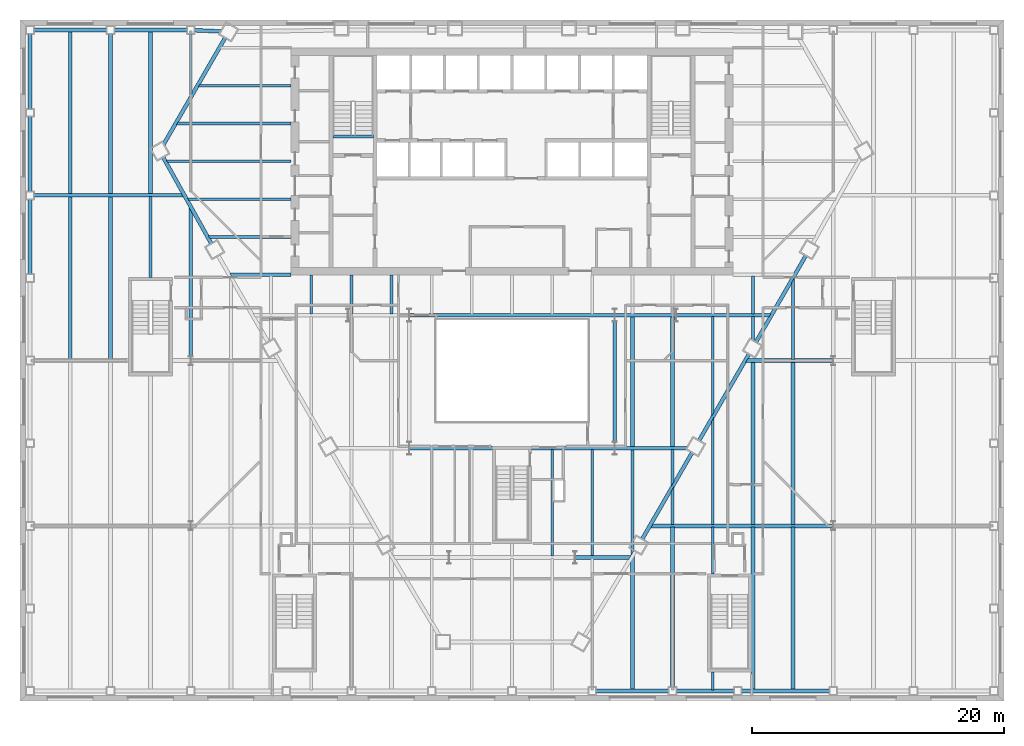
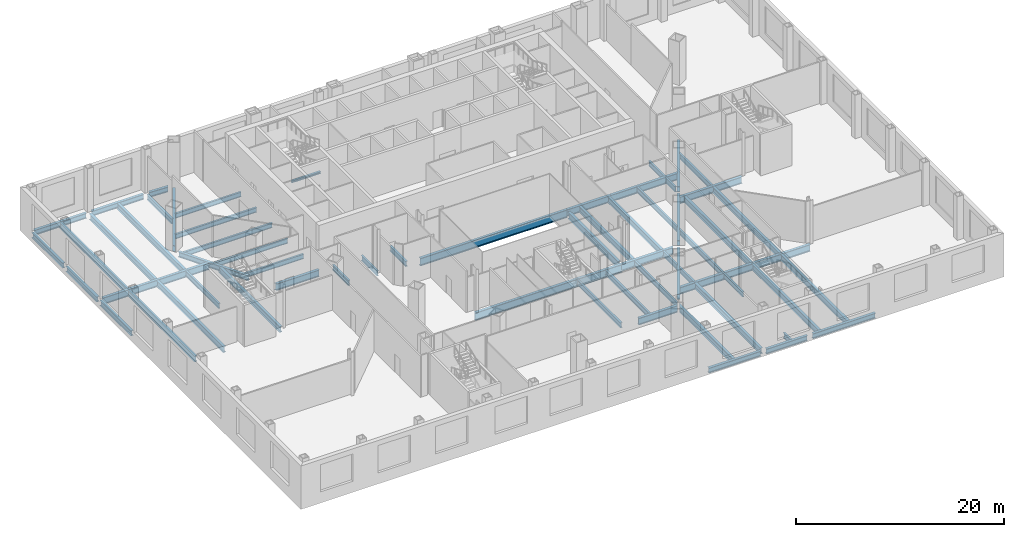
# One storey, part 5 of 20: 62 beams.
"""IFC4 building model written with IfcOpenShell, lengths in metres."""

from ifc_helpers import new_model, si_unit, direction, frame, origin, origin_2d, place, context, subcontext, project, spatial, i_section, extrude, clip, halfspace, material, material_profile, profile_set, type_object, element, save


model = new_model("IFC4")

# Units and contexts
model_context = context("Model", 3, precision=1e-05, world=origin(), true_north=direction((0.0, 1.0)))
body_context = subcontext(model_context, "Body", "Model", "MODEL_VIEW")
ifc_project = project(units=[si_unit("LENGTHUNIT", "METRE"), si_unit("AREAUNIT", "SQUARE_METRE"), si_unit("VOLUMEUNIT", "CUBIC_METRE"), si_unit("PLANEANGLEUNIT", "RADIAN"), si_unit("MASSUNIT", "GRAM", prefix="KILO")], contexts=[model_context])

# Site, building, storey
site_placement = place(None, origin())
site = spatial("IfcSite", under=ifc_project, at=site_placement, CompositionType="ELEMENT")
building_placement = place(site_placement, origin())
building = spatial("IfcBuilding", under=site, at=building_placement, Name="Njiva Tower", CompositionType="ELEMENT")
storey_placement = place(building_placement, frame((0.0, 0.0, 18.6)))
storey = spatial("IfcBuildingStorey", under=building, at=storey_placement, Name="L03", CompositionType="ELEMENT", Elevation=18.6)

# Beams
ifc_material = material(Name="Steel S355 J2", Category="steel")
ifc_material_profile_1 = material_profile(ifc_material, i_section(OverallWidth=0.3, OverallDepth=0.69, WebThickness=0.0145, FlangeThickness=0.027, at=origin_2d()), Name="HEA 700")
ifc_profile_set_1 = profile_set([ifc_material_profile_1], Name="Steel S355 J2")
beam_type_1 = type_object("IfcBeamType", Name="B1 Long-span spandrel beam HEA 700", PredefinedType="SPANDREL", material=ifc_profile_set_1)
beam_1_placement = place(storey_placement, frame((-22.736, 18.791, -0.565), z_axis=(-0.499971337603, -0.866041951395, 0.0), x_axis=(0.866041951395, -0.499971337603, 0.0)))
element("IfcBeam", 1, at=beam_1_placement, inside=storey, type_object=beam_type_1, Name="Long-span spandrel beam L03-B147", PredefinedType="SPANDREL", context=body_context, shape_type="Clipping", body=[
    clip(extrude(i_section(OverallWidth=0.3, OverallDepth=0.69, WebThickness=0.0145, FlangeThickness=0.027, at=origin_2d()), origin(), (0.0, 0.0, 1.0), 9.8456), halfspace(frame((-0.0253, 0.0, 9.7239), z_axis=(-0.500030652022, 0.0, 0.866007706108), x_axis=(0.0, 1.0, 0.0)), False)),
])
ifc_material_profile_2 = material_profile(ifc_material, i_section(OverallWidth=0.21, OverallDepth=0.55, WebThickness=0.0111, FlangeThickness=0.0172, at=origin_2d()), Name="IPE 550")
ifc_profile_set_2 = profile_set([ifc_material_profile_2], Name="Steel S355 J2")
beam_type_2 = type_object("IfcBeamType", Name="B10 Floor beam to the core IPE 550", PredefinedType="BEAM", material=ifc_profile_set_2)
beam_2_placement = place(storey_placement, frame((-24.091, 3.0, -0.495), z_axis=(1.0, 0.0, 0.0), x_axis=(0.0, 1.0, 0.0)))
element("IfcBeam", 2, at=beam_2_placement, inside=storey, type_object=beam_type_2, Name="Floor beam to the core L03-B005", PredefinedType="BEAM", context=body_context, shape_type="Clipping", body=[
    clip(extrude(i_section(OverallWidth=0.21, OverallDepth=0.55, WebThickness=0.0111, FlangeThickness=0.0172, at=origin_2d()), origin(), (0.0, 0.0, 1.0), 6.591), halfspace(frame((-0.0244, 0.0, 0.0929), z_axis=(-0.487051738924, 0.0, -0.87337311821), x_axis=(0.0, -1.0, 0.0)), False)),
])
beam_3_placement = place(storey_placement, frame((-25.764, 6.0, -0.495), z_axis=(1.0, 0.0, 0.0), x_axis=(0.0, 1.0, 0.0)))
element("IfcBeam", 3, at=beam_3_placement, inside=storey, type_object=beam_type_2, Name="Floor beam to the core L03-B003", PredefinedType="BEAM", context=body_context, shape_type="Clipping", body=[
    clip(extrude(i_section(OverallWidth=0.21, OverallDepth=0.55, WebThickness=0.0111, FlangeThickness=0.0172, at=origin_2d()), origin(), (0.0, 0.0, 1.0), 8.264), halfspace(frame((-0.0244, 0.0, 0.093), z_axis=(-0.487051738924, 0.0, -0.87337311821), x_axis=(0.0, -1.0, 0.0)), False)),
])
beam_4_placement = place(storey_placement, frame((-26.622, 12.0, -0.495), z_axis=(1.0, 0.0, 0.0), x_axis=(0.0, 1.0, 0.0)))
element("IfcBeam", 4, at=beam_4_placement, inside=storey, type_object=beam_type_2, Name="Floor beam to the core L03-B002", PredefinedType="BEAM", context=body_context, shape_type="Clipping", body=[
    clip(extrude(i_section(OverallWidth=0.21, OverallDepth=0.55, WebThickness=0.0111, FlangeThickness=0.0172, at=origin_2d()), origin(), (0.0, 0.0, 1.0), 9.122), halfspace(frame((0.025, 0.0, 0.0951), z_axis=(0.499998009787, 0.0, -0.866026552831), x_axis=(0.0, -1.0, 0.0)), False)),
])
beam_5_placement = place(storey_placement, frame((-24.89, 15.0, -0.495), z_axis=(1.0, 0.0, 0.0), x_axis=(0.0, 1.0, 0.0)))
element("IfcBeam", 5, at=beam_5_placement, inside=storey, type_object=beam_type_2, Name="Floor beam to the core L03-B004", PredefinedType="BEAM", context=body_context, shape_type="Clipping", body=[
    clip(extrude(i_section(OverallWidth=0.21, OverallDepth=0.55, WebThickness=0.0111, FlangeThickness=0.0172, at=origin_2d()), origin(), (0.0, 0.0, 1.0), 7.39), halfspace(frame((0.025, 0.0, 0.0951), z_axis=(0.499998009787, 0.0, -0.866026552831), x_axis=(0.0, -1.0, 0.0)), False)),
])
ifc_material_profile_3 = material_profile(ifc_material, i_section(OverallWidth=0.21, OverallDepth=0.55, WebThickness=0.0111, FlangeThickness=0.0172, at=origin_2d()), Name="IPE 550")
ifc_profile_set_3 = profile_set([ifc_material_profile_3], Name="Steel S355 J2")
beam_type_3 = type_object("IfcBeamType", Name="B11 Long-span floor beam to the core IPE 550", PredefinedType="BEAM", material=ifc_profile_set_3)
beam_6_placement = place(storey_placement, frame((-27.437, 9.0, -0.495), z_axis=(1.0, 0.0, 0.0), x_axis=(0.0, 1.0, 0.0)))
element("IfcBeam", 6, at=beam_6_placement, inside=storey, type_object=beam_type_3, Name="Long-span floor beam to the core L03-B001", PredefinedType="BEAM", context=body_context, shape_type="Clipping", body=[
    clip(extrude(i_section(OverallWidth=0.21, OverallDepth=0.55, WebThickness=0.0111, FlangeThickness=0.0172, at=origin_2d()), origin(), (0.0, 0.0, 1.0), 9.937), halfspace(frame((-0.0244, 0.0, 0.093), z_axis=(-0.487051738924, 0.0, -0.87337311821), x_axis=(0.0, -1.0, 0.0)), False)),
])
ifc_material_profile_4 = material_profile(ifc_material, i_section(OverallWidth=0.3, OverallDepth=0.69, WebThickness=0.0145, FlangeThickness=0.027, at=origin_2d()), Name="HEA 700")
ifc_profile_set_4 = profile_set([ifc_material_profile_4], Name="Steel S355 J2")
beam_type_4 = type_object("IfcBeamType", Name="B12 Long-span floor joist HEA 700", PredefinedType="JOIST", material=ifc_profile_set_4)
for number, where, z_axis, x_axis, name in (
    (7, (-35.017, 19.3, -0.565), (0.0, -1.0, 0.0), (1.0, 0.0, 0.0), "Long-span floor joist L03-B039"),
    (8, (-35.017, 6.2, -0.565), (0.0, -1.0, 0.0), (1.0, 0.0, 0.0), "Long-span floor joist L03-B038"),
):
    element("IfcBeam", number, at=place(storey_placement, frame(where, z_axis=z_axis, x_axis=x_axis)), inside=storey, type_object=beam_type_4, Name=name, PredefinedType="JOIST", context=body_context, shape_type="SweptSolid", body=[
        extrude(i_section(OverallWidth=0.3, OverallDepth=0.69, WebThickness=0.0145, FlangeThickness=0.027, at=origin_2d()), origin(), (0.0, 0.0, 1.0), 12.9),
    ])
beam_7_placement = place(storey_placement, frame((-31.833, 19.1, -0.565), z_axis=(0.0, -1.0, 0.0), x_axis=(1.0, 0.0, 0.0)))
element("IfcBeam", 9, at=beam_7_placement, inside=storey, type_object=beam_type_4, Name="Long-span floor joist L03-B043", PredefinedType="JOIST", context=body_context, shape_type="SweptSolid", body=[
    extrude(i_section(OverallWidth=0.3, OverallDepth=0.69, WebThickness=0.0145, FlangeThickness=0.027, at=origin_2d()), origin(), (0.0, 0.0, 1.0), 12.7),
])
for number, where, z_axis, x_axis, name in (
    (10, (-31.833, 6.2, -0.565), (0.0, -1.0, 0.0), (1.0, 0.0, 0.0), "Long-span floor joist L03-B042"),
    (11, (-28.65, 19.3, -0.565), (0.0, -1.0, 0.0), (1.0, 0.0, 0.0), "Long-span floor joist L03-B047"),
):
    element("IfcBeam", number, at=place(storey_placement, frame(where, z_axis=z_axis, x_axis=x_axis)), inside=storey, type_object=beam_type_4, Name=name, PredefinedType="JOIST", context=body_context, shape_type="SweptSolid", body=[
        extrude(i_section(OverallWidth=0.3, OverallDepth=0.69, WebThickness=0.0145, FlangeThickness=0.027, at=origin_2d()), origin(), (0.0, 0.0, 1.0), 12.9),
    ])
beam_8_placement = place(storey_placement, frame((-25.467, 5.288, -0.565), z_axis=(0.0, -1.0, 0.0), x_axis=(1.0, 0.0, 0.0)))
element("IfcBeam", 12, at=beam_8_placement, inside=storey, type_object=beam_type_4, Name="Long-span floor joist L03-B050", PredefinedType="JOIST", context=body_context, shape_type="SweptSolid", body=[
    extrude(i_section(OverallWidth=0.3, OverallDepth=0.69, WebThickness=0.0145, FlangeThickness=0.027, at=origin_2d()), origin(), (0.0, 0.0, 1.0), 11.78),
])
beam_9_placement = place(storey_placement, frame((9.55, -3.3, -0.565), z_axis=(0.0, -1.0, 0.0), x_axis=(1.0, 0.0, 0.0)))
element("IfcBeam", 13, at=beam_9_placement, inside=storey, type_object=beam_type_4, Name="Long-span floor joist L03-B095", PredefinedType="JOIST", context=body_context, shape_type="SweptSolid", body=[
    extrude(i_section(OverallWidth=0.3, OverallDepth=0.69, WebThickness=0.0145, FlangeThickness=0.027, at=origin_2d()), origin(), (0.0, 0.0, 1.0), 10.35),
])
beam_10_placement = place(storey_placement, frame((9.55, -22.243, -0.565), z_axis=(0.0, -1.0, 0.0), x_axis=(1.0, 0.0, 0.0)))
element("IfcBeam", 14, at=beam_10_placement, inside=storey, type_object=beam_type_4, Name="Long-span floor joist L03-B093", PredefinedType="JOIST", context=body_context, shape_type="Clipping", body=[
    clip(extrude(i_section(OverallWidth=0.3, OverallDepth=0.69, WebThickness=0.0145, FlangeThickness=0.027, at=origin_2d()), origin(), (0.0, 0.0, 1.0), 10.657), halfspace(frame((-0.0429, 0.0, 0.2758), z_axis=(-0.858483100847, 0.0, -0.512841852388), x_axis=(0.0, -1.0, 0.0)), False)),
])
beam_11_placement = place(storey_placement, frame((12.733, -3.3, -0.565), z_axis=(0.0, -1.0, 0.0), x_axis=(1.0, 0.0, 0.0)))
element("IfcBeam", 15, at=beam_11_placement, inside=storey, type_object=beam_type_4, Name="Long-span floor joist L03-B100", PredefinedType="JOIST", context=body_context, shape_type="SweptSolid", body=[
    extrude(i_section(OverallWidth=0.3, OverallDepth=0.69, WebThickness=0.0145, FlangeThickness=0.027, at=origin_2d()), origin(), (0.0, 0.0, 1.0), 10.35),
])
beam_12_placement = place(storey_placement, frame((12.733, -20.001, -0.565), z_axis=(0.0, -1.0, 0.0), x_axis=(1.0, 0.0, 0.0)))
element("IfcBeam", 16, at=beam_12_placement, inside=storey, type_object=beam_type_4, Name="Long-span floor joist L03-B097", PredefinedType="JOIST", context=body_context, shape_type="SweptSolid", body=[
    extrude(i_section(OverallWidth=0.3, OverallDepth=0.69, WebThickness=0.0145, FlangeThickness=0.027, at=origin_2d()), origin(), (0.0, 0.0, 1.0), 12.699),
])
for number, where, z_axis, x_axis, name in (
    (17, (19.1, -6.9, -0.565), (0.0, -1.0, 0.0), (1.0, 0.0, 0.0), "Long-span floor joist L03-B108"),
    (18, (19.1, -20.001, -0.565), (0.0, -1.0, 0.0), (1.0, 0.0, 0.0), "Long-span floor joist L03-B107"),
    (19, (22.283, -6.9, -0.565), (0.0, -1.0, 0.0), (1.0, 0.0, 0.0), "Long-span floor joist L03-B112"),
    (20, (22.283, -20.001, -0.565), (0.0, -1.0, 0.0), (1.0, 0.0, 0.0), "Long-span floor joist L03-B111"),
):
    element("IfcBeam", number, at=place(storey_placement, frame(where, z_axis=z_axis, x_axis=x_axis)), inside=storey, type_object=beam_type_4, Name=name, PredefinedType="JOIST", context=body_context, shape_type="SweptSolid", body=[
        extrude(i_section(OverallWidth=0.3, OverallDepth=0.69, WebThickness=0.0145, FlangeThickness=0.027, at=origin_2d()), origin(), (0.0, 0.0, 1.0), 12.899),
    ])
ifc_material_profile_5 = material_profile(ifc_material, i_section(OverallWidth=0.22, OverallDepth=0.6, WebThickness=0.012, FlangeThickness=0.019, at=origin_2d()), Name="IPE 600")
ifc_profile_set_5 = profile_set([ifc_material_profile_5], Name="Steel S355 J2")
beam_type_5 = type_object("IfcBeamType", Name="B13 Floor joist IPE 600", PredefinedType="JOIST", material=ifc_profile_set_5)
beam_13_placement = place(storey_placement, frame((-28.65, 6.2, -0.52), z_axis=(0.0, -1.0, 0.0), x_axis=(1.0, 0.0, 0.0)))
element("IfcBeam", 21, at=beam_13_placement, inside=storey, type_object=beam_type_5, Name="Floor joist L03-B046", PredefinedType="JOIST", context=body_context, shape_type="SweptSolid", body=[
    extrude(i_section(OverallWidth=0.22, OverallDepth=0.6, WebThickness=0.012, FlangeThickness=0.019, at=origin_2d()), origin(), (0.0, 0.0, 1.0), 6.4),
])
beam_14_placement = place(storey_placement, frame((-25.467, 19.1, -0.52), z_axis=(0.0, -1.0, 0.0), x_axis=(1.0, 0.0, 0.0)))
element("IfcBeam", 22, at=beam_14_placement, inside=storey, type_object=beam_type_5, Name="Floor joist L03-B051", PredefinedType="JOIST", context=body_context, shape_type="SweptSolid", body=[
    extrude(i_section(OverallWidth=0.22, OverallDepth=0.6, WebThickness=0.012, FlangeThickness=0.019, at=origin_2d()), origin(), (0.0, 0.0, 1.0), 4.772),
])
for number, where, z_axis, x_axis, name in (
    (23, (3.183, -13.851, -0.52), (0.0, -1.0, 0.0), (1.0, 0.0, 0.0), "Floor joist L03-B087"),
    (24, (6.367, -13.851, -0.52), (0.0, -1.0, 0.0), (1.0, 0.0, 0.0), "Floor joist L03-B091"),
):
    element("IfcBeam", number, at=place(storey_placement, frame(where, z_axis=z_axis, x_axis=x_axis)), inside=storey, type_object=beam_type_5, Name=name, PredefinedType="JOIST", context=body_context, shape_type="SweptSolid", body=[
        extrude(i_section(OverallWidth=0.22, OverallDepth=0.6, WebThickness=0.012, FlangeThickness=0.019, at=origin_2d()), origin(), (0.0, 0.0, 1.0), 8.449),
    ])
beam_15_placement = place(storey_placement, frame((9.55, -13.85, -0.52), z_axis=(0.0, -1.0, 0.0), x_axis=(1.0, 0.0, 0.0)))
element("IfcBeam", 25, at=beam_15_placement, inside=storey, type_object=beam_type_5, Name="Floor joist L03-B094", PredefinedType="JOIST", context=body_context, shape_type="Clipping", body=[
    clip(extrude(i_section(OverallWidth=0.22, OverallDepth=0.6, WebThickness=0.012, FlangeThickness=0.019, at=origin_2d()), origin(), (0.0, 0.0, 1.0), 8.411), halfspace(frame((0.0429, 0.0, 8.1351), z_axis=(0.858483100847, 0.0, 0.512841852388), x_axis=(0.0, 1.0, 0.0)), False)),
])
beam_16_placement = place(storey_placement, frame((15.917, -3.3, -0.52), z_axis=(0.0, -1.0, 0.0), x_axis=(1.0, 0.0, 0.0)))
element("IfcBeam", 26, at=beam_16_placement, inside=storey, type_object=beam_type_5, Name="Floor joist L03-B105", PredefinedType="JOIST", context=body_context, shape_type="Clipping", body=[
    clip(extrude(i_section(OverallWidth=0.22, OverallDepth=0.6, WebThickness=0.012, FlangeThickness=0.019, at=origin_2d()), origin(), (0.0, 0.0, 1.0), 7.964), halfspace(frame((0.043, 0.0, 7.6783), z_axis=(0.866026552831, 0.0, 0.499998009787), x_axis=(0.0, 1.0, 0.0)), False)),
])
beam_17_placement = place(storey_placement, frame((15.917, -11.242, -0.52), z_axis=(0.0, -1.0, 0.0), x_axis=(1.0, 0.0, 0.0)))
element("IfcBeam", 27, at=beam_17_placement, inside=storey, type_object=beam_type_5, Name="Floor joist L03-B104", PredefinedType="JOIST", context=body_context, shape_type="Clipping", body=[
    clip(extrude(i_section(OverallWidth=0.22, OverallDepth=0.6, WebThickness=0.012, FlangeThickness=0.019, at=origin_2d()), origin(), (0.0, 0.0, 1.0), 8.557), halfspace(frame((-0.0436, 0.0, 0.2863), z_axis=(-0.866026552831, 0.0, -0.499998009787), x_axis=(0.0, -1.0, 0.0)), False)),
])
beam_18_placement = place(storey_placement, frame((22.283, -0.215, -0.52), z_axis=(0.0, -1.0, 0.0), x_axis=(1.0, 0.0, 0.0)))
element("IfcBeam", 28, at=beam_18_placement, inside=storey, type_object=beam_type_5, Name="Floor joist L03-B113", PredefinedType="JOIST", context=body_context, shape_type="Clipping", body=[
    clip(extrude(i_section(OverallWidth=0.22, OverallDepth=0.6, WebThickness=0.012, FlangeThickness=0.019, at=origin_2d()), origin(), (0.0, 0.0, 1.0), 6.485), halfspace(frame((-0.043, 0.0, 0.2859), z_axis=(-0.866026552831, 0.0, -0.499998009787), x_axis=(0.0, -1.0, 0.0)), False)),
])
ifc_material_profile_6 = material_profile(ifc_material, i_section(OverallWidth=0.22, OverallDepth=0.6, WebThickness=0.012, FlangeThickness=0.019, at=origin_2d()), Name="IPE 600")
ifc_profile_set_6 = profile_set([ifc_material_profile_6], Name="Steel S355 J2")
beam_type_6 = type_object("IfcBeamType", Name="B14 Short-span floor joist IPE 600", PredefinedType="JOIST", material=ifc_profile_set_6)
for number, where, z_axis, x_axis, name in (
    (29, (-15.917, -0.005, -0.52), (0.0, -1.0, 0.0), (1.0, 0.0, 0.0), "Short-span floor joist L03-B063"),
    (30, (-12.733, -0.005, -0.52), (0.0, -1.0, 0.0), (1.0, 0.0, 0.0), "Short-span floor joist L03-B068"),
    (31, (-9.55, -0.005, -0.52), (0.0, -1.0, 0.0), (1.0, 0.0, 0.0), "Short-span floor joist L03-B072"),
):
    element("IfcBeam", number, at=place(storey_placement, frame(where, z_axis=z_axis, x_axis=x_axis)), inside=storey, type_object=beam_type_6, Name=name, PredefinedType="JOIST", context=body_context, shape_type="SweptSolid", body=[
        extrude(i_section(OverallWidth=0.22, OverallDepth=0.6, WebThickness=0.012, FlangeThickness=0.019, at=origin_2d()), origin(), (0.0, 0.0, 1.0), 3.095),
    ])
beam_19_placement = place(storey_placement, frame((12.733, -13.85, -0.52), z_axis=(0.0, -1.0, 0.0), x_axis=(1.0, 0.0, 0.0)))
element("IfcBeam", 32, at=beam_19_placement, inside=storey, type_object=beam_type_6, Name="Short-span floor joist L03-B099", PredefinedType="JOIST", context=body_context, shape_type="Clipping", body=[
    clip(extrude(i_section(OverallWidth=0.22, OverallDepth=0.6, WebThickness=0.012, FlangeThickness=0.019, at=origin_2d()), origin(), (0.0, 0.0, 1.0), 2.928), halfspace(frame((0.0436, 0.0, 2.642), z_axis=(0.866026552831, 0.0, 0.499998009787), x_axis=(0.0, 1.0, 0.0)), False)),
])
beam_20_placement = place(storey_placement, frame((12.733, -16.756, -0.52), z_axis=(0.0, -1.0, 0.0), x_axis=(1.0, 0.0, 0.0)))
element("IfcBeam", 33, at=beam_20_placement, inside=storey, type_object=beam_type_6, Name="Short-span floor joist L03-B098", PredefinedType="JOIST", context=body_context, shape_type="Clipping", body=[
    clip(extrude(i_section(OverallWidth=0.22, OverallDepth=0.6, WebThickness=0.012, FlangeThickness=0.019, at=origin_2d()), origin(), (0.0, 0.0, 1.0), 3.043), halfspace(frame((-0.043, 0.0, 0.286), z_axis=(-0.866026552831, 0.0, -0.499998009787), x_axis=(0.0, -1.0, 0.0)), False)),
])
beam_21_placement = place(storey_placement, frame((15.917, -20.001, -0.52), z_axis=(0.0, -1.0, 0.0), x_axis=(1.0, 0.0, 0.0)))
element("IfcBeam", 34, at=beam_21_placement, inside=storey, type_object=beam_type_6, Name="Short-span floor joist L03-B103", PredefinedType="JOIST", context=body_context, shape_type="SweptSolid", body=[
    extrude(i_section(OverallWidth=0.22, OverallDepth=0.6, WebThickness=0.012, FlangeThickness=0.019, at=origin_2d()), origin(), (0.0, 0.0, 1.0), 3.699),
])
beam_22_placement = place(storey_placement, frame((15.917, -31.5, -0.52), z_axis=(0.0, -1.0, 0.0), x_axis=(1.0, 0.0, 0.0)))
element("IfcBeam", 35, at=beam_22_placement, inside=storey, type_object=beam_type_6, Name="Short-span floor joist L03-B102", PredefinedType="JOIST", context=body_context, shape_type="SweptSolid", body=[
    extrude(i_section(OverallWidth=0.22, OverallDepth=0.6, WebThickness=0.012, FlangeThickness=0.019, at=origin_2d()), origin(), (0.0, 0.0, 1.0), 1.4),
])
beam_23_placement = place(storey_placement, frame((19.1, -0.1, -0.52), z_axis=(0.0, -1.0, 0.0), x_axis=(1.0, 0.0, 0.0)))
element("IfcBeam", 36, at=beam_23_placement, inside=storey, type_object=beam_type_6, Name="Short-span floor joist L03-B110", PredefinedType="JOIST", context=body_context, shape_type="SweptSolid", body=[
    extrude(i_section(OverallWidth=0.22, OverallDepth=0.6, WebThickness=0.012, FlangeThickness=0.019, at=origin_2d()), origin(), (0.0, 0.0, 1.0), 3.0),
])
beam_24_placement = place(storey_placement, frame((19.1, -3.3, -0.52), z_axis=(0.0, -1.0, 0.0), x_axis=(1.0, 0.0, 0.0)))
element("IfcBeam", 37, at=beam_24_placement, inside=storey, type_object=beam_type_6, Name="Short-span floor joist L03-B109", PredefinedType="JOIST", context=body_context, shape_type="Clipping", body=[
    clip(extrude(i_section(OverallWidth=0.22, OverallDepth=0.6, WebThickness=0.012, FlangeThickness=0.019, at=origin_2d()), origin(), (0.0, 0.0, 1.0), 1.978), halfspace(frame((-0.025, 0.0, 1.88), z_axis=(-0.499998009787, 0.0, 0.866026552831), x_axis=(0.0, 1.0, 0.0)), False)),
])
ifc_material_profile_7 = material_profile(ifc_material, i_section(OverallWidth=0.3, OverallDepth=0.6, WebThickness=0.0155, FlangeThickness=0.03, at=origin_2d()), Name="HEB 600")
ifc_profile_set_7 = profile_set([ifc_material_profile_7], Name="Steel S355 J2")
beam_type_7 = type_object("IfcBeamType", Name="B2 Spandrel beam HEB 600", PredefinedType="SPANDREL", material=ifc_profile_set_7)
beam_25_placement = place(storey_placement, frame((-27.654, 9.326, -0.52), z_axis=(0.487083289159, -0.873355522924, 0.0), x_axis=(0.873355522924, 0.487083289159, 0.0)))
element("IfcBeam", 38, at=beam_25_placement, inside=storey, type_object=beam_type_7, Name="Spandrel beam L03-B146", PredefinedType="SPANDREL", context=body_context, shape_type="SweptSolid", body=[
    extrude(i_section(OverallWidth=0.3, OverallDepth=0.6, WebThickness=0.0155, FlangeThickness=0.03, at=origin_2d()), origin(), (0.0, 0.0, 1.0), 7.8364),
])
beam_26_placement = place(storey_placement, frame((10.321, -20.946, -0.52), z_axis=(0.499930249268, 0.866065670643, 0.0), x_axis=(-0.866065670643, 0.499930249268, 0.0)))
element("IfcBeam", 39, at=beam_26_placement, inside=storey, type_object=beam_type_7, Name="Spandrel beam L03-B167", PredefinedType="SPANDREL", context=body_context, shape_type="SweptSolid", body=[
    extrude(i_section(OverallWidth=0.3, OverallDepth=0.6, WebThickness=0.0155, FlangeThickness=0.03, at=origin_2d()), origin(), (0.0, 0.0, 1.0), 7.9151),
])
beam_27_placement = place(storey_placement, frame((14.828, -13.139, -0.52), z_axis=(0.499970304126, 0.866042548026, 0.0), x_axis=(-0.866042548026, 0.499970304126, 0.0)))
element("IfcBeam", 40, at=beam_27_placement, inside=storey, type_object=beam_type_7, Name="Spandrel beam L03-B170", PredefinedType="SPANDREL", context=body_context, shape_type="SweptSolid", body=[
    extrude(i_section(OverallWidth=0.3, OverallDepth=0.6, WebThickness=0.0155, FlangeThickness=0.03, at=origin_2d()), origin(), (0.0, 0.0, 1.0), 7.9165),
])
beam_28_placement = place(storey_placement, frame((19.336, -5.331, -0.52), z_axis=(0.500025004646, 0.866010966864, 0.0), x_axis=(-0.866010966864, 0.500025004646, 0.0)))
element("IfcBeam", 41, at=beam_28_placement, inside=storey, type_object=beam_type_7, Name="Spandrel beam L03-B172", PredefinedType="SPANDREL", context=body_context, shape_type="SweptSolid", body=[
    extrude(i_section(OverallWidth=0.3, OverallDepth=0.6, WebThickness=0.0155, FlangeThickness=0.03, at=origin_2d()), origin(), (0.0, 0.0, 1.0), 7.9156),
])
for number, where, z_axis, x_axis, name in (
    (42, (-38.2, 19.1, -0.52), (0.0, -1.0, 0.0), (1.0, 0.0, 0.0), "Spandrel beam L03-B141"),
    (43, (-38.2, 12.55, -0.52), (0.0, -1.0, 0.0), (1.0, 0.0, 0.0), "Spandrel beam L03-B140"),
    (44, (-38.2, 6.0, -0.52), (0.0, -1.0, 0.0), (1.0, 0.0, 0.0), "Spandrel beam L03-B139"),
):
    element("IfcBeam", number, at=place(storey_placement, frame(where, z_axis=z_axis, x_axis=x_axis)), inside=storey, type_object=beam_type_7, Name=name, PredefinedType="SPANDREL", context=body_context, shape_type="SweptSolid", body=[
        extrude(i_section(OverallWidth=0.3, OverallDepth=0.6, WebThickness=0.0155, FlangeThickness=0.03, at=origin_2d()), origin(), (0.0, 0.0, 1.0), 5.95),
    ])
beam_29_placement = place(storey_placement, frame((6.667, -33.0, -0.52), z_axis=(1.0, 0.0, 0.0), x_axis=(0.0, 1.0, 0.0)))
element("IfcBeam", 45, at=beam_29_placement, inside=storey, type_object=beam_type_7, Name="Spandrel beam L03-B165", PredefinedType="SPANDREL", context=body_context, shape_type="SweptSolid", body=[
    extrude(i_section(OverallWidth=0.3, OverallDepth=0.6, WebThickness=0.0155, FlangeThickness=0.03, at=origin_2d()), origin(), (0.0, 0.0, 1.0), 5.766),
])
beam_30_placement = place(storey_placement, frame((13.033, -33.0, -0.52), z_axis=(1.0, 0.0, 0.0), x_axis=(0.0, 1.0, 0.0)))
element("IfcBeam", 46, at=beam_30_placement, inside=storey, type_object=beam_type_7, Name="Spandrel beam L03-B168", PredefinedType="SPANDREL", context=body_context, shape_type="SweptSolid", body=[
    extrude(i_section(OverallWidth=0.3, OverallDepth=0.6, WebThickness=0.0155, FlangeThickness=0.03, at=origin_2d()), origin(), (0.0, 0.0, 1.0), 4.567),
])
beam_31_placement = place(storey_placement, frame((18.2, -33.0, -0.52), z_axis=(1.0, 0.0, 0.0), x_axis=(0.0, 1.0, 0.0)))
element("IfcBeam", 47, at=beam_31_placement, inside=storey, type_object=beam_type_7, Name="Spandrel beam L03-B171", PredefinedType="SPANDREL", context=body_context, shape_type="SweptSolid", body=[
    extrude(i_section(OverallWidth=0.3, OverallDepth=0.6, WebThickness=0.0155, FlangeThickness=0.03, at=origin_2d()), origin(), (0.0, 0.0, 1.0), 6.967),
])
beam_32_placement = place(storey_placement, frame((-37.9, 19.4, -0.52), z_axis=(1.0, 0.0, 0.0), x_axis=(0.0, 1.0, 0.0)))
element("IfcBeam", 48, at=beam_32_placement, inside=storey, type_object=beam_type_7, Name="Spandrel beam L03-B143", PredefinedType="SPANDREL", context=body_context, shape_type="SweptSolid", body=[
    extrude(i_section(OverallWidth=0.3, OverallDepth=0.6, WebThickness=0.0155, FlangeThickness=0.03, at=origin_2d()), origin(), (0.0, 0.0, 1.0), 5.767),
])
beam_33_placement = place(storey_placement, frame((-31.533, 19.4, -0.52), z_axis=(1.0, 0.0, 0.0), x_axis=(0.0, 1.0, 0.0)))
element("IfcBeam", 49, at=beam_33_placement, inside=storey, type_object=beam_type_7, Name="Spandrel beam L03-B145", PredefinedType="SPANDREL", context=body_context, shape_type="SweptSolid", body=[
    extrude(i_section(OverallWidth=0.3, OverallDepth=0.6, WebThickness=0.0155, FlangeThickness=0.03, at=origin_2d()), origin(), (0.0, 0.0, 1.0), 5.766),
])
ifc_material_profile_8 = material_profile(ifc_material, i_section(OverallWidth=0.3, OverallDepth=0.6, WebThickness=0.0155, FlangeThickness=0.03, at=origin_2d()), Name="HEB 600")
ifc_profile_set_8 = profile_set([ifc_material_profile_8], Name="Steel S355 J2")
beam_type_8 = type_object("IfcBeamType", Name="B3 Short-span spandrel beam HEB 600", PredefinedType="SPANDREL", material=ifc_profile_set_8)
beam_34_placement = place(storey_placement, frame((-25.161, 19.386, -0.52), z_axis=(0.999024189577, -0.044166374551, 0.0), x_axis=(0.044166374551, 0.999024189577, 0.0)))
element("IfcBeam", 50, at=beam_34_placement, inside=storey, type_object=beam_type_8, Name="Short-span spandrel beam L03-B149", PredefinedType="SPANDREL", context=body_context, shape_type="Clipping", body=[
    clip(extrude(i_section(OverallWidth=0.3, OverallDepth=0.6, WebThickness=0.0155, FlangeThickness=0.03, at=origin_2d()), origin(), (0.0, 0.0, 1.0), 2.181), halfspace(frame((-0.0228, 0.0, 2.0707), z_axis=(-0.461260853414, 0.0, 0.887264574469), x_axis=(0.0, 1.0, 0.0)), False)),
])
ifc_material_profile_9 = material_profile(ifc_material, i_section(OverallWidth=0.3, OverallDepth=0.79, WebThickness=0.015, FlangeThickness=0.028, at=origin_2d()), Name="HEA 800")
ifc_profile_set_9 = profile_set([ifc_material_profile_9], Name="Steel S355 J2")
beam_type_9 = type_object("IfcBeamType", Name="B4 Floor girder HEA 800", PredefinedType="BEAM", material=ifc_profile_set_9)
beam_35_placement = place(storey_placement, frame((8.15, -3.2, -0.615), z_axis=(1.0, 0.0, 0.0), x_axis=(0.0, 1.0, 0.0)))
element("IfcBeam", 51, at=beam_35_placement, inside=storey, type_object=beam_type_9, Name="Floor girder L03-B027", PredefinedType="BEAM", context=body_context, shape_type="SweptSolid", body=[
    extrude(i_section(OverallWidth=0.3, OverallDepth=0.79, WebThickness=0.015, FlangeThickness=0.028, at=origin_2d()), origin(), (0.0, 0.0, 1.0), 4.85),
])
beam_36_placement = place(storey_placement, frame((13.0, -3.2, -0.615), z_axis=(1.0, 0.0, 0.0), x_axis=(0.0, 1.0, 0.0)))
element("IfcBeam", 52, at=beam_36_placement, inside=storey, type_object=beam_type_9, Name="Floor girder L03-B029", PredefinedType="BEAM", context=body_context, shape_type="Clipping", body=[
    clip(extrude(i_section(OverallWidth=0.3, OverallDepth=0.79, WebThickness=0.015, FlangeThickness=0.028, at=origin_2d()), origin(), (0.0, 0.0, 1.0), 7.558), halfspace(frame((-0.025, 0.0, 7.4363), z_axis=(-0.499998009787, 0.0, 0.866026552831), x_axis=(0.0, 1.0, 0.0)), False)),
])
beam_37_placement = place(storey_placement, frame((8.15, -13.75, -0.615), z_axis=(1.0, 0.0, 0.0), x_axis=(0.0, 1.0, 0.0)))
element("IfcBeam", 53, at=beam_37_placement, inside=storey, type_object=beam_type_9, Name="Floor girder L03-B026", PredefinedType="BEAM", context=body_context, shape_type="Clipping", body=[
    clip(extrude(i_section(OverallWidth=0.3, OverallDepth=0.79, WebThickness=0.015, FlangeThickness=0.028, at=origin_2d()), origin(), (0.0, 0.0, 1.0), 5.797), halfspace(frame((-0.025, 0.0, 5.6755), z_axis=(-0.499998009787, 0.0, 0.866026552831), x_axis=(0.0, 1.0, 0.0)), False)),
])
beam_38_placement = place(storey_placement, frame((-22.405, 0.0, -0.615), z_axis=(1.0, 0.0, 0.0), x_axis=(0.0, 1.0, 0.0)))
element("IfcBeam", 54, at=beam_38_placement, inside=storey, type_object=beam_type_9, Name="Floor girder L03-B019", PredefinedType="BEAM", context=body_context, shape_type="Clipping", body=[
    clip(extrude(i_section(OverallWidth=0.3, OverallDepth=0.79, WebThickness=0.015, FlangeThickness=0.028, at=origin_2d()), origin(), (0.0, 0.0, 1.0), 4.905), halfspace(frame((-0.025, 0.0, 0.1211), z_axis=(-0.499998009787, 0.0, -0.866026552831), x_axis=(0.0, -1.0, 0.0)), False)),
])
beam_39_placement = place(storey_placement, frame((18.496, -6.8, -0.615), z_axis=(1.0, 0.0, 0.0), x_axis=(0.0, 1.0, 0.0)))
element("IfcBeam", 55, at=beam_39_placement, inside=storey, type_object=beam_type_9, Name="Floor girder L03-B031", PredefinedType="BEAM", context=body_context, shape_type="Clipping", body=[
    clip(extrude(i_section(OverallWidth=0.3, OverallDepth=0.79, WebThickness=0.015, FlangeThickness=0.028, at=origin_2d()), origin(), (0.0, 0.0, 1.0), 6.971), halfspace(frame((0.025, 0.0, 0.1217), z_axis=(0.499998009787, 0.0, -0.866026552831), x_axis=(0.0, -1.0, 0.0)), False)),
])
ifc_material_profile_10 = material_profile(ifc_material, i_section(OverallWidth=0.3, OverallDepth=0.79, WebThickness=0.015, FlangeThickness=0.028, at=origin_2d()), Name="HEA 800")
ifc_profile_set_10 = profile_set([ifc_material_profile_10], Name="Steel S355 J2")
beam_type_10 = type_object("IfcBeamType", Name="B5 Short-span floor girder HEA 800", PredefinedType="BEAM", material=ifc_profile_set_10)
beam_40_placement = place(storey_placement, frame((5.0, -22.4, -0.615), z_axis=(1.0, 0.0, 0.0), x_axis=(0.0, 1.0, 0.0)))
element("IfcBeam", 56, at=beam_40_placement, inside=storey, type_object=beam_type_10, Name="Short-span floor girder L03-B025", PredefinedType="BEAM", context=body_context, shape_type="Clipping", body=[
    clip(extrude(i_section(OverallWidth=0.3, OverallDepth=0.79, WebThickness=0.015, FlangeThickness=0.028, at=origin_2d()), origin(), (0.0, 0.0, 1.0), 4.455), halfspace(frame((-0.0256, 0.0, 4.3297), z_axis=(-0.512841852388, 0.0, 0.858483100847), x_axis=(0.0, 1.0, 0.0)), False)),
])
ifc_material_profile_11 = material_profile(ifc_material, i_section(OverallWidth=0.3, OverallDepth=0.79, WebThickness=0.015, FlangeThickness=0.028, at=origin_2d()), Name="HEA 800")
ifc_profile_set_11 = profile_set([ifc_material_profile_11], Name="Steel S355 J2")
beam_type_11 = type_object("IfcBeamType", Name="B6 Long-span floor girder HEA 800", PredefinedType="BEAM", material=ifc_profile_set_11)
beam_41_placement = place(storey_placement, frame((-37.9, 6.3, -0.615), z_axis=(1.0, 0.0, 0.0), x_axis=(0.0, 1.0, 0.0)))
element("IfcBeam", 57, at=beam_41_placement, inside=storey, type_object=beam_type_11, Name="Long-span floor girder L03-B015", PredefinedType="BEAM", context=body_context, shape_type="SweptSolid", body=[
    extrude(i_section(OverallWidth=0.3, OverallDepth=0.79, WebThickness=0.015, FlangeThickness=0.028, at=origin_2d()), origin(), (0.0, 0.0, 1.0), 11.865),
])
ifc_material_profile_12 = material_profile(ifc_material, i_section(OverallWidth=0.303, OverallDepth=0.814, WebThickness=0.021, FlangeThickness=0.04, at=origin_2d()), Name="HEM 800")
ifc_profile_set_12 = profile_set([ifc_material_profile_12], Name="Steel S355 J2")
beam_type_12 = type_object("IfcBeamType", Name="B7 Long-span floor girder HEM 800", PredefinedType="BEAM", material=ifc_profile_set_12)
beam_42_placement = place(storey_placement, frame((10.933, -19.9, -0.627), z_axis=(1.0, 0.0, 0.0), x_axis=(0.0, 1.0, 0.0)))
element("IfcBeam", 58, at=beam_42_placement, inside=storey, type_object=beam_type_12, Name="Long-span floor girder L03-B028", PredefinedType="BEAM", context=body_context, shape_type="Clipping", body=[
    clip(extrude(i_section(OverallWidth=0.303, OverallDepth=0.814, WebThickness=0.021, FlangeThickness=0.04, at=origin_2d()), origin(), (0.0, 0.0, 1.0), 14.534), halfspace(frame((0.025, 0.0, 0.1214), z_axis=(0.499998009787, 0.0, -0.866026552831), x_axis=(0.0, -1.0, 0.0)), False)),
])
ifc_material_profile_13 = material_profile(ifc_material, i_section(OverallWidth=0.302, OverallDepth=0.91, WebThickness=0.021, FlangeThickness=0.04, at=origin_2d()), Name="HEM 900")
ifc_profile_set_13 = profile_set([ifc_material_profile_13], Name="Steel S355 J2")
beam_type_13 = type_object("IfcBeamType", Name="B8 Long-span atrium trimmer beam HEM 900", PredefinedType="BEAM", material=ifc_profile_set_13)
for number, where, z_axis, x_axis, name in (
    (59, (-8.15, -13.75, -0.675), (1.0, 0.0, 0.0), (0.0, 1.0, 0.0), "Long-span atrium trimmer beam L03-B130"),
    (60, (8.15, -3.2, -0.675), (-1.0, 0.0, 0.0), (0.0, -1.0, 0.0), "Long-span atrium trimmer beam L03-B132"),
):
    element("IfcBeam", number, at=place(storey_placement, frame(where, z_axis=z_axis, x_axis=x_axis)), inside=storey, type_object=beam_type_13, Name=name, PredefinedType="BEAM", context=body_context, shape_type="SweptSolid", body=[
        extrude(i_section(OverallWidth=0.302, OverallDepth=0.91, WebThickness=0.021, FlangeThickness=0.04, at=origin_2d()), origin(), (0.0, 0.0, 1.0), 16.3),
    ])
ifc_material_profile_14 = material_profile(ifc_material, i_section(OverallWidth=0.3, OverallDepth=0.79, WebThickness=0.015, FlangeThickness=0.028, at=origin_2d()), Name="HEA 800")
ifc_profile_set_14 = profile_set([ifc_material_profile_14], Name="Steel S355 J2")
beam_type_14 = type_object("IfcBeamType", Name="B9 Long-span atrium trimmer beam HEA 800", PredefinedType="BEAM", material=ifc_profile_set_14)
beam_43_placement = place(storey_placement, frame((8.15, -13.296, -0.615), z_axis=(0.0, 1.0, 0.0), x_axis=(-1.0, 0.0, 0.0)))
element("IfcBeam", 61, at=beam_43_placement, inside=storey, type_object=beam_type_14, Name="Long-span atrium trimmer beam L03-B133", PredefinedType="BEAM", context=body_context, shape_type="SweptSolid", body=[
    extrude(i_section(OverallWidth=0.3, OverallDepth=0.79, WebThickness=0.015, FlangeThickness=0.028, at=origin_2d()), origin(), (0.0, 0.0, 1.0), 9.642),
])
ifc_material_profile_15 = material_profile(ifc_material, i_section(OverallWidth=0.24, OverallDepth=0.23, WebThickness=0.0075, FlangeThickness=0.012, at=origin_2d()), Name="HEA240")
ifc_profile_set_15 = profile_set([ifc_material_profile_15], Name="Steel S355 J2")
beam_type_15 = type_object("IfcBeamType", Name="FL8 Landing beam HEA 240", PredefinedType="BEAM", material=ifc_profile_set_15)
beam_44_placement = place(storey_placement, frame((-14.206, 10.98, 2.235), z_axis=(1.0, 0.0, 0.0), x_axis=(0.0, 1.0, 0.0)))
element("IfcBeam", 62, at=beam_44_placement, inside=storey, type_object=beam_type_15, Name="Landing beam", PredefinedType="BEAM", context=body_context, shape_type="SweptSolid", body=[
    extrude(i_section(OverallWidth=0.24, OverallDepth=0.23, WebThickness=0.0075, FlangeThickness=0.012, at=origin_2d()), origin(), (0.0, 0.0, 1.0), 3.212),
])

save(model, "model.ifc")
